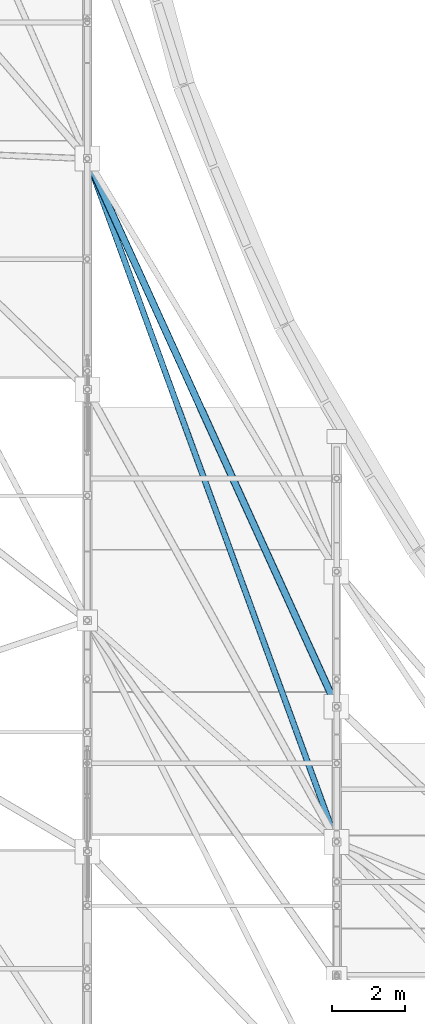
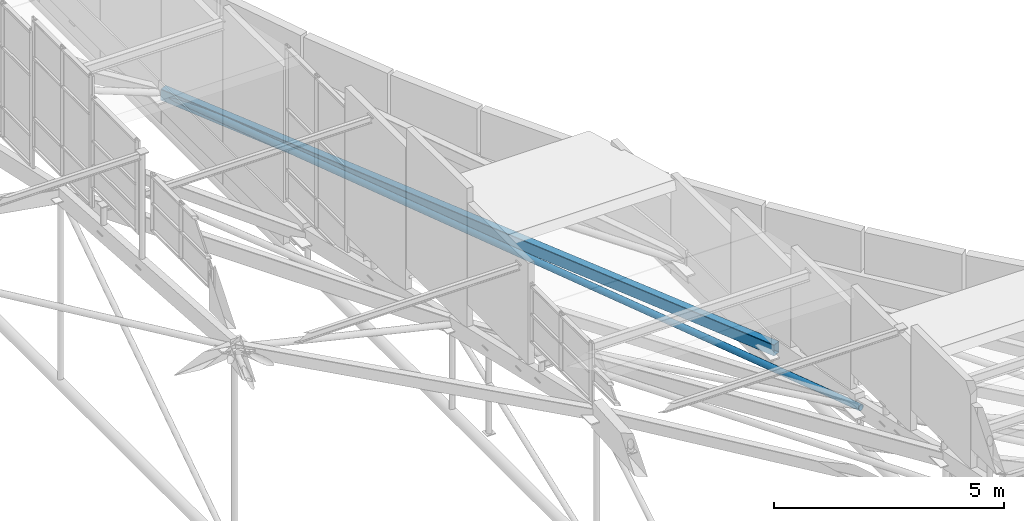
# One storey, part 28 of 188: 2 members.
"""IFC4 building model written with IfcOpenShell, lengths in metres."""

from ifc_helpers import new_model, si_unit, direction, frame, origin, origin_2d, place, context, subcontext, project, spatial, hollow_rectangle, hollow_circle, extrude, material, material_profile, profile_set, type_object, element, save


model = new_model("IFC4")

# Units and contexts
model_context = context("Model", 3, precision=1e-05, world=origin(), true_north=direction((0.0, 1.0)))
body_context = subcontext(model_context, "Body", "Model", "MODEL_VIEW")
ifc_project = project(units=[si_unit("LENGTHUNIT", "METRE"), si_unit("AREAUNIT", "SQUARE_METRE"), si_unit("VOLUMEUNIT", "CUBIC_METRE"), si_unit("PLANEANGLEUNIT", "RADIAN"), si_unit("MASSUNIT", "GRAM", prefix="KILO")], contexts=[model_context])

# Site, building, storey
site_placement = place(None, origin())
site = spatial("IfcSite", under=ifc_project, at=site_placement, CompositionType="ELEMENT")
building_placement = place(site_placement, origin())
building = spatial("IfcBuilding", under=site, at=building_placement, Name="Kisaragi Civic Commons", CompositionType="ELEMENT")
storey_placement = place(building_placement, frame((0.0, 0.0, 9.60009765625)))
storey = spatial("IfcBuildingStorey", under=building, at=storey_placement, Name="L02", CompositionType="ELEMENT", Elevation=9.60009765625)

# Members
ifc_material_1 = material(Name="Steel SN400 (SN400B)", Category="steel")
ifc_material_profile_1 = material_profile(ifc_material_1, hollow_circle(Radius=0.08251953125, WallThickness=0.006103515625, at=origin_2d()), Name="CHS-165.2x6.0", Category="steel")
ifc_profile_set_1 = profile_set([ifc_material_profile_1], Name="Steel SN400 (SN400B)")
member_type_1 = type_object("IfcMemberType", Name="BR-02", PredefinedType="BRACE", material=ifc_profile_set_1)
member_1_placement = place(storey_placement, frame((27.199951171875, 39.389892578125, 0.415771484375), z_axis=(0.342862008979, -0.938996047354, 0.027056715461), x_axis=(0.93933993965, 0.342987576711, 0.0)))
element("IfcMember", 1, at=member_1_placement, inside=storey, type_object=member_type_1, Name="V1 diagonal gridshell steel brace 29", PredefinedType="BRACE", context=body_context, shape_type="SweptSolid", body=[
    extrude(hollow_circle(Radius=0.08251953125, WallThickness=0.006103515625, at=origin_2d()), origin(), (0.0, 0.0, 1.0), 19.833251953125),
])
ifc_material_2 = material(Name="Steel SN490 (SN490B)", Category="steel")
ifc_material_profile_2 = material_profile(ifc_material_2, hollow_rectangle(XDim=0.199951171875, YDim=0.300048828125, WallThickness=0.009033203125, InnerFilletRadius=0.009033203125, OuterFilletRadius=0.01806640625, at=origin_2d()), Name="STKR-300x200x9", Category="steel")
ifc_profile_set_2 = profile_set([ifc_material_profile_2], Name="Steel SN490 (SN490B)")
member_type_2 = type_object("IfcMemberType", Name="GC-02", PredefinedType="CHORD", material=ifc_profile_set_2)
member_2_placement = place(storey_placement, frame((27.199951171875, 39.389892578125, 0.415771484375), z_axis=(0.414213624171, -0.910145693925, -0.007866980476), x_axis=(0.910173859409, 0.414226442478, 0.0)))
element("IfcMember", 2, at=member_2_placement, inside=storey, type_object=member_type_2, Name="V1 wave gridshell chord GC-02 34", PredefinedType="CHORD", context=body_context, shape_type="SweptSolid", body=[
    extrude(hollow_rectangle(XDim=0.199951171875, YDim=0.300048828125, WallThickness=0.009033203125, InnerFilletRadius=0.009033203125, OuterFilletRadius=0.01806640625, at=origin_2d()), origin(), (0.0, 0.0, 1.0), 16.416748046875),
])

save(model, "model.ifc")
